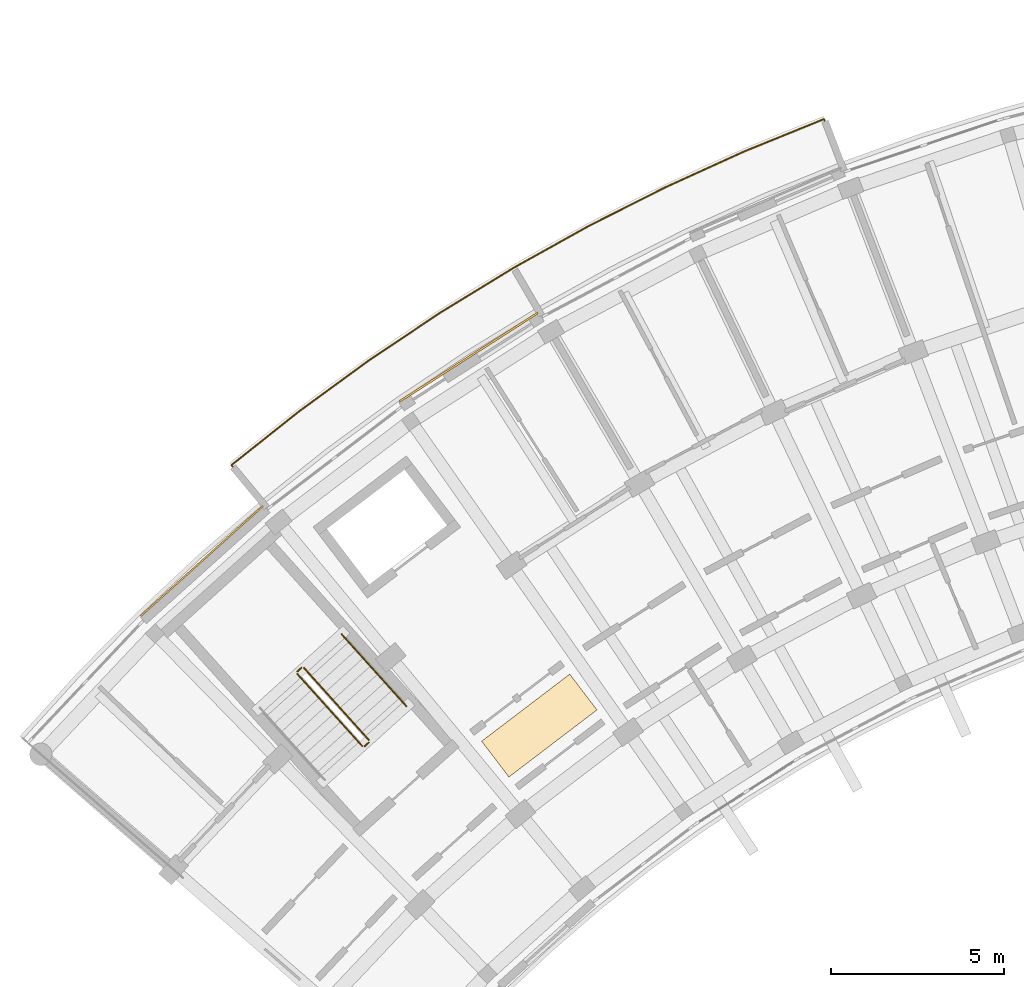
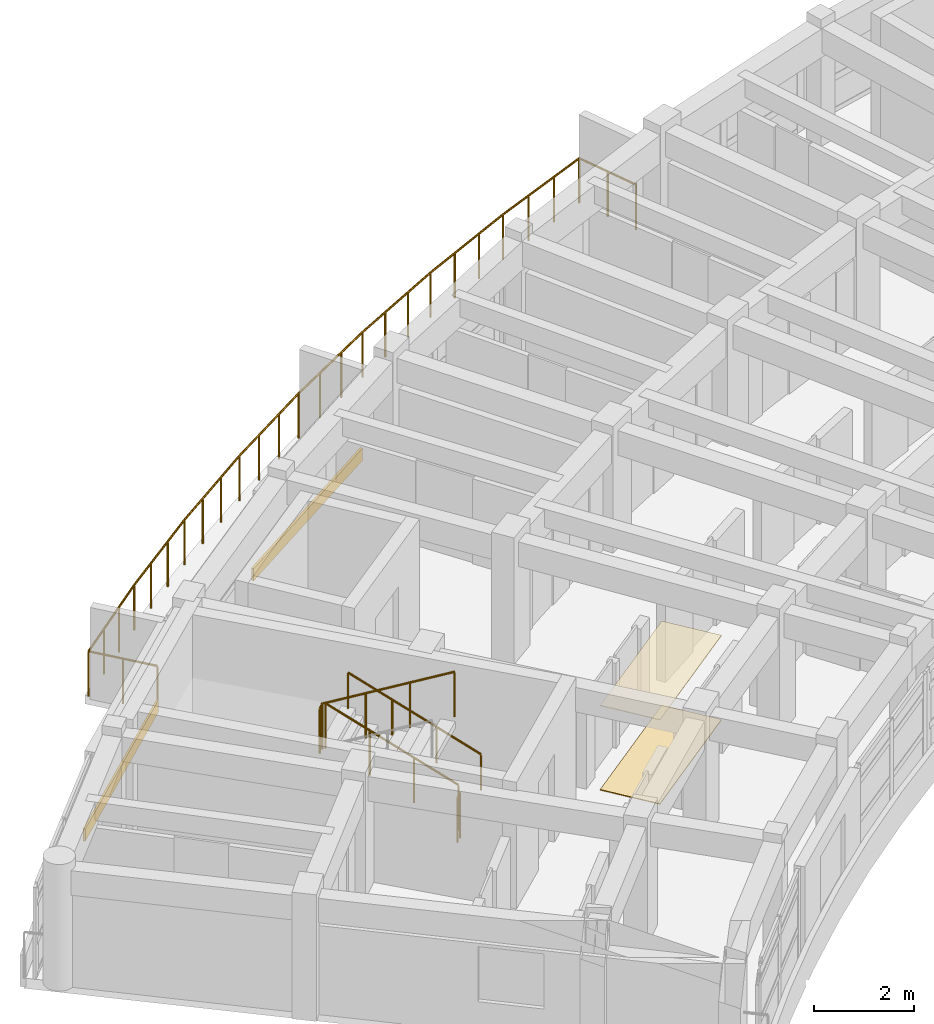
# One storey, part 41 of 50: 6 railings, 4 coverings.
"""IFC4 building model written with IfcOpenShell, lengths in metres."""

from ifc_helpers import new_model, si_unit, direction, frame, origin, origin_2d, place, context, subcontext, project, spatial, rectangle, circle, extrude, material, layer, layer_set, type_object, element, save


model = new_model("IFC4")

# Units and contexts
model_context = context("Model", 3, precision=1e-05, world=origin(), true_north=direction((0.0, 1.0)))
body_context = subcontext(model_context, "Body", "Model", "MODEL_VIEW")
ifc_project = project(units=[si_unit("LENGTHUNIT", "METRE"), si_unit("AREAUNIT", "SQUARE_METRE"), si_unit("VOLUMEUNIT", "CUBIC_METRE"), si_unit("PLANEANGLEUNIT", "RADIAN"), si_unit("MASSUNIT", "GRAM", prefix="KILO")], contexts=[model_context])

# Site, building, storey
site_placement = place(None, origin())
site = spatial("IfcSite", under=ifc_project, at=site_placement, CompositionType="ELEMENT")
building_placement = place(site_placement, origin())
building = spatial("IfcBuilding", under=site, at=building_placement, Name="Zimvara Arc Housing Community", CompositionType="ELEMENT")
storey_placement = place(building_placement, frame((0.0, 0.0, 26.699951171875)))
storey = spatial("IfcBuildingStorey", under=building, at=storey_placement, Name="L08", CompositionType="ELEMENT", Elevation=26.699951171875)

# Coverings
ifc_material_1 = material(Name="Pale-Gold Anodised Aluminium Cladding", Category="aluminium")
ifc_layer_1 = layer(ifc_material_1, 0.044921875)
ifc_layer_set_1 = layer_set([ifc_layer_1], Name="Pale-Gold Anodised Aluminium Cladding")
covering_type_1 = type_object("IfcCoveringType", Name="CLD-GOLD-02", PredefinedType="CLADDING", material=ifc_layer_set_1)
covering_1_placement = place(storey_placement, frame((5.216552734375, 88.715087890625, 0.01025390625), z_axis=(0.0, 0.0, 1.0), x_axis=(0.74337718344, 0.668872456557, 0.0)))
element("IfcCovering", 1, at=covering_1_placement, inside=storey, type_object=covering_type_1, Name="cld:blkA:L08:out:b1", PredefinedType="CLADDING", context=body_context, shape_type="SweptSolid", body=[
    extrude(rectangle(XDim=4.748779296875, YDim=0.044921875, at=origin_2d()), origin(), (0.0, 0.0, 1.0), 0.300048828125),
])
ifc_material_2 = material(Name="Pale-Gold Anodised Aluminium Cladding", Category="aluminium")
ifc_layer_2 = layer(ifc_material_2, 0.054931640625)
ifc_layer_set_2 = layer_set([ifc_layer_2], Name="Pale-Gold Anodised Aluminium Cladding")
covering_type_2 = type_object("IfcCoveringType", Name="CLD-GOLD-04", PredefinedType="CLADDING", material=ifc_layer_set_2)
covering_2_placement = place(storey_placement, frame((12.92919921875, 94.609130859375, 0.01025390625), z_axis=(0.0, 0.0, 1.0), x_axis=(0.842265220048, 0.53906335351, 0.0)))
element("IfcCovering", 2, at=covering_2_placement, inside=storey, type_object=covering_type_2, Name="cld:blkA:L08:out:b3", PredefinedType="CLADDING", context=body_context, shape_type="SweptSolid", body=[
    extrude(rectangle(XDim=4.748779296875, YDim=0.054931640625, at=origin_2d()), origin(), (0.0, 0.0, 1.0), 0.300048828125),
])
ifc_material_3 = material(Name="Perforated Acoustic Ceiling Board")
ifc_layer_3 = layer(ifc_material_3, 0.01806640625)
ifc_layer_set_3 = layer_set([ifc_layer_3], Name="Perforated Acoustic Ceiling Board")
covering_type_3 = type_object("IfcCoveringType", Name="COV-CEIL-01", PredefinedType="CEILING", material=ifc_layer_set_3)
covering_3_placement = place(storey_placement, frame((14.974853515625, 83.959228515625, 2.06201171875), z_axis=(0.0, 0.0, 1.0), x_axis=(-0.605988400266, 0.795473480855, 0.0)))
element("IfcCovering", 3, at=covering_3_placement, inside=storey, type_object=covering_type_3, Name="ceil:blkA:L08", PredefinedType="CEILING", context=body_context, shape_type="SweptSolid", body=[
    extrude(rectangle(XDim=1.300048828125, YDim=3.199951171875, at=origin_2d()), origin(), (0.0, 0.0, 1.0), 0.01806640625),
])
ifc_material_4 = material(Name="Polished Coastal Sand Terrazzo")
ifc_layer_4 = layer(ifc_material_4, 0.02001953125)
ifc_layer_set_4 = layer_set([ifc_layer_4], Name="Polished Coastal Sand Terrazzo")
covering_type_4 = type_object("IfcCoveringType", Name="COV-FLOR-01", PredefinedType="FLOORING", material=ifc_layer_set_4)
covering_4_placement = place(storey_placement, frame((14.974853515625, 83.959228515625, 0.0), z_axis=(0.0, 0.0, 1.0), x_axis=(-0.605988400266, 0.795473480855, 0.0)))
element("IfcCovering", 4, at=covering_4_placement, inside=storey, type_object=covering_type_4, Name="flor:blkA:L08", PredefinedType="FLOORING", context=body_context, shape_type="SweptSolid", body=[
    extrude(rectangle(XDim=1.300048828125, YDim=3.199951171875, at=origin_2d()), origin(), (0.0, 0.0, 1.0), 0.02001953125),
])

# Railings
ifc_material_5 = material(Name="Anodised Aluminium AW-6063", Category="aluminium")
railing_type_1 = type_object("IfcRailingType", Name="RLG-BAL-1120", PredefinedType="BALUSTRADE", material=ifc_material_5)
railing_1_placement = place(storey_placement, frame((7.00927734375, 90.357666015625, 0.0)))
element("IfcRailing", 5, at=railing_1_placement, inside=storey, type_object=railing_type_1, Name="rlg:blkA:L08:bal_out_guard", PredefinedType="BALUSTRADE", context=body_context, shape_type="SweptSolid", body=[
    extrude(circle(Radius=0.02392578125, at=origin_2d()), frame((0.0, 0.0, 1.09619140625), z_axis=(-0.637992539284, 0.770042544161, 0.0), x_axis=(-0.770042544161, -0.637992539284, 0.0)), (0.0, 0.0, 1.0), 1.4697265625),
    extrude(circle(Radius=0.02392578125, at=origin_2d()), frame((-0.937744140625, 1.1318359375, 1.09619140625), z_axis=(0.782948045611, 0.622087098302, 0.0), x_axis=(-0.622087098302, 0.782948045611, 0.0)), (0.0, 0.0, 1.0), 2.4921875),
    extrude(circle(Radius=0.02392578125, at=origin_2d()), frame((1.013427734375, 2.68212890625, 1.09619140625), z_axis=(0.80765852685, 0.589650493095, 0.0), x_axis=(-0.589650493095, 0.80765852685, 0.0)), (0.0, 0.0, 1.0), 2.49169921875),
    extrude(circle(Radius=0.02392578125, at=origin_2d()), frame((3.02587890625, 4.1513671875, 1.09619140625), z_axis=(0.83106930865, 0.556168863044, 0.0), x_axis=(-0.556168863044, 0.83106930865, 0.0)), (0.0, 0.0, 1.0), 2.491943359375),
    extrude(circle(Radius=0.02392578125, at=origin_2d()), frame((5.096923828125, 5.537353515625, 1.09619140625), z_axis=(0.853131649433, 0.521695685947, 0.0), x_axis=(-0.521695685947, 0.853131649433, 0.0)), (0.0, 0.0, 1.0), 2.491943359375),
    extrude(circle(Radius=0.02392578125, at=origin_2d()), frame((7.222900390625, 6.83740234375, 1.09619140625), z_axis=(0.873653060707, 0.486549411178, 0.0), x_axis=(-0.486549411178, 0.873653060707, 0.0)), (0.0, 0.0, 1.0), 2.491943359375),
    extrude(circle(Radius=0.02392578125, at=origin_2d()), frame((9.39990234375, 8.0498046875, 1.09619140625), z_axis=(0.892834384016, 0.450385127107, 0.0), x_axis=(-0.450385127107, 0.892834384016, 0.0)), (0.0, 0.0, 1.0), 2.491943359375),
    extrude(circle(Radius=0.02392578125, at=origin_2d()), frame((11.624755859375, 9.172119140625, 1.09619140625), z_axis=(0.910443630497, 0.413633165604, 0.0), x_axis=(-0.413633165604, 0.910443630497, 0.0)), (0.0, 0.0, 1.0), 2.491943359375),
    extrude(circle(Radius=0.02392578125, at=origin_2d()), frame((13.8935546875, 10.202880859375, 1.09619140625), z_axis=(0.926613832847, 0.37601436778, 0.0), x_axis=(-0.37601436778, 0.926613832847, 0.0)), (0.0, 0.0, 1.0), 2.491943359375),
    extrude(circle(Radius=0.02392578125, at=origin_2d()), frame((16.20263671875, 11.139892578125, 1.09619140625), z_axis=(0.357086323574, -0.934071387805, 0.0), x_axis=(0.934071387805, 0.357086323574, 0.0)), (0.0, 0.0, 1.0), 1.469970703125),
    extrude(circle(Radius=0.02099609375, at=origin_2d()), origin(), (0.0, 0.0, 1.0), 1.072021484375),
    extrude(circle(Radius=0.02099609375, at=origin_2d()), frame((-0.46875, 0.56591796875, 0.0)), (0.0, 0.0, 1.0), 1.072021484375),
    extrude(circle(Radius=0.02099609375, at=origin_2d()), frame((-0.937744140625, 1.1318359375, 0.0)), (0.0, 0.0, 1.0), 1.072021484375),
    extrude(circle(Radius=0.02099609375, at=origin_2d()), frame((-0.287353515625, 1.648681640625, 0.0)), (0.0, 0.0, 1.0), 1.072021484375),
    extrude(circle(Radius=0.02099609375, at=origin_2d()), frame((0.363037109375, 2.165283203125, 0.0)), (0.0, 0.0, 1.0), 1.072021484375),
    extrude(circle(Radius=0.02099609375, at=origin_2d()), frame((1.013427734375, 2.68212890625, 0.0)), (0.0, 0.0, 1.0), 1.072021484375),
    extrude(circle(Radius=0.02099609375, at=origin_2d()), frame((1.684326171875, 3.171875, 0.0)), (0.0, 0.0, 1.0), 1.072021484375),
    extrude(circle(Radius=0.02099609375, at=origin_2d()), frame((2.35498046875, 3.66162109375, 0.0)), (0.0, 0.0, 1.0), 1.072021484375),
    extrude(circle(Radius=0.02099609375, at=origin_2d()), frame((3.02587890625, 4.1513671875, 0.0)), (0.0, 0.0, 1.0), 1.072021484375),
    extrude(circle(Radius=0.02099609375, at=origin_2d()), frame((3.71630859375, 4.61328125, 0.0)), (0.0, 0.0, 1.0), 1.072021484375),
    extrude(circle(Radius=0.02099609375, at=origin_2d()), frame((4.406494140625, 5.075439453125, 0.0)), (0.0, 0.0, 1.0), 1.072021484375),
    extrude(circle(Radius=0.02099609375, at=origin_2d()), frame((5.096923828125, 5.537353515625, 0.0)), (0.0, 0.0, 1.0), 1.072021484375),
    extrude(circle(Radius=0.02099609375, at=origin_2d()), frame((5.8056640625, 5.970703125, 0.0)), (0.0, 0.0, 1.0), 1.072021484375),
    extrude(circle(Radius=0.02099609375, at=origin_2d()), frame((6.51416015625, 6.404052734375, 0.0)), (0.0, 0.0, 1.0), 1.072021484375),
    extrude(circle(Radius=0.02099609375, at=origin_2d()), frame((7.222900390625, 6.83740234375, 0.0)), (0.0, 0.0, 1.0), 1.072021484375),
    extrude(circle(Radius=0.02099609375, at=origin_2d()), frame((7.948486328125, 7.241455078125, 0.0)), (0.0, 0.0, 1.0), 1.072021484375),
    extrude(circle(Radius=0.02099609375, at=origin_2d()), frame((8.67431640625, 7.645751953125, 0.0)), (0.0, 0.0, 1.0), 1.072021484375),
    extrude(circle(Radius=0.02099609375, at=origin_2d()), frame((9.39990234375, 8.0498046875, 0.0)), (0.0, 0.0, 1.0), 1.072021484375),
    extrude(circle(Radius=0.02099609375, at=origin_2d()), frame((10.1416015625, 8.423828125, 0.0)), (0.0, 0.0, 1.0), 1.072021484375),
    extrude(circle(Radius=0.02099609375, at=origin_2d()), frame((10.883056640625, 8.798095703125, 0.0)), (0.0, 0.0, 1.0), 1.072021484375),
    extrude(circle(Radius=0.02099609375, at=origin_2d()), frame((11.624755859375, 9.172119140625, 0.0)), (0.0, 0.0, 1.0), 1.072021484375),
    extrude(circle(Radius=0.02099609375, at=origin_2d()), frame((12.381103515625, 9.515625, 0.0)), (0.0, 0.0, 1.0), 1.072021484375),
    extrude(circle(Radius=0.02099609375, at=origin_2d()), frame((13.13720703125, 9.859375, 0.0)), (0.0, 0.0, 1.0), 1.072021484375),
    extrude(circle(Radius=0.02099609375, at=origin_2d()), frame((13.8935546875, 10.202880859375, 0.0)), (0.0, 0.0, 1.0), 1.072021484375),
    extrude(circle(Radius=0.02099609375, at=origin_2d()), frame((14.663330078125, 10.51513671875, 0.0)), (0.0, 0.0, 1.0), 1.072021484375),
    extrude(circle(Radius=0.02099609375, at=origin_2d()), frame((15.432861328125, 10.82763671875, 0.0)), (0.0, 0.0, 1.0), 1.072021484375),
    extrude(circle(Radius=0.02099609375, at=origin_2d()), frame((16.20263671875, 11.139892578125, 0.0)), (0.0, 0.0, 1.0), 1.072021484375),
    extrude(circle(Radius=0.02099609375, at=origin_2d()), frame((16.465087890625, 10.453369140625, 0.0)), (0.0, 0.0, 1.0), 1.072021484375),
    extrude(circle(Radius=0.02099609375, at=origin_2d()), frame((16.7275390625, 9.766845703125, 0.0)), (0.0, 0.0, 1.0), 1.072021484375),
])
railing_2_placement = place(storey_placement, frame((10.0478515625, 83.5400390625, 0.155029296875)))
element("IfcRailing", 6, at=railing_2_placement, inside=storey, type_object=railing_type_1, Name="L08 ST-A1 stair guard 1", PredefinedType="BALUSTRADE", context=body_context, shape_type="SweptSolid", body=[
    extrude(circle(Radius=0.02392578125, at=origin_2d()), frame((0.0, 0.0, 1.09619140625), z_axis=(-0.599018063854, 0.665748660595, 0.444922555162), x_axis=(-0.743380604779, -0.668868654101, 0.0)), (0.0, 0.0, 1.0), 3.135498046875),
    extrude(circle(Radius=0.02099609375, at=origin_2d()), origin(), (0.0, 0.0, 1.0), 1.072021484375),
    extrude(circle(Radius=0.02099609375, at=origin_2d()), frame((-0.6259765625, 0.69580078125, 0.465087890625)), (0.0, 0.0, 1.0), 1.072021484375),
    extrude(circle(Radius=0.02099609375, at=origin_2d()), frame((-1.252197265625, 1.3916015625, 0.929931640625)), (0.0, 0.0, 1.0), 1.072021484375),
    extrude(circle(Radius=0.02099609375, at=origin_2d()), frame((-1.878173828125, 2.08740234375, 1.39501953125)), (0.0, 0.0, 1.0), 1.072021484375),
])
railing_3_placement = place(storey_placement, frame((8.098876953125, 85.631103515625, 1.550048828125)))
element("IfcRailing", 7, at=railing_3_placement, inside=storey, type_object=railing_type_1, Name="L08 ST-A1 stair guard 2", PredefinedType="BALUSTRADE", context=body_context, shape_type="SweptSolid", body=[
    extrude(circle(Radius=0.02392578125, at=origin_2d()), frame((0.0, 0.0, 1.09619140625), z_axis=(-0.743521848755, -0.668711642207, 0.0), x_axis=(0.668711642207, -0.743521848755, 0.0)), (0.0, 0.0, 1.0), 0.159912109375),
    extrude(circle(Radius=0.02099609375, at=origin_2d()), origin(), (0.0, 0.0, 1.0), 1.072021484375),
    extrude(circle(Radius=0.02099609375, at=origin_2d()), frame((-0.118896484375, -0.10693359375, 0.0)), (0.0, 0.0, 1.0), 1.072021484375),
])
railing_4_placement = place(storey_placement, frame((7.976318359375, 85.453369140625, 1.705078125)))
element("IfcRailing", 8, at=railing_4_placement, inside=storey, type_object=railing_type_1, Name="L08 ST-A1 stair guard 3", PredefinedType="BALUSTRADE", context=body_context, shape_type="SweptSolid", body=[
    extrude(circle(Radius=0.02392578125, at=origin_2d()), frame((0.0, 0.0, 1.09619140625), z_axis=(0.599018063854, -0.665748660595, 0.444922555162), x_axis=(0.743380604779, 0.668868654101, 0.0)), (0.0, 0.0, 1.0), 3.135498046875),
    extrude(circle(Radius=0.02099609375, at=origin_2d()), origin(), (0.0, 0.0, 1.0), 1.072021484375),
    extrude(circle(Radius=0.02099609375, at=origin_2d()), frame((0.6259765625, -0.69580078125, 0.465087890625)), (0.0, 0.0, 1.0), 1.072021484375),
    extrude(circle(Radius=0.02099609375, at=origin_2d()), frame((1.252197265625, -1.3916015625, 0.929931640625)), (0.0, 0.0, 1.0), 1.072021484375),
    extrude(circle(Radius=0.02099609375, at=origin_2d()), frame((1.878173828125, -2.08740234375, 1.39501953125)), (0.0, 0.0, 1.0), 1.072021484375),
])
railing_5_placement = place(storey_placement, frame((10.0439453125, 83.469482421875, 0.0)))
element("IfcRailing", 9, at=railing_5_placement, inside=storey, type_object=railing_type_1, Name="L08 ST-A1 stair guard 4", PredefinedType="BALUSTRADE", context=body_context, shape_type="SweptSolid", body=[
    extrude(circle(Radius=0.02392578125, at=origin_2d()), frame((0.0, 0.0, 1.09619140625), z_axis=(-0.742763048172, -0.669554369913, 0.0), x_axis=(0.669554369913, -0.742763048172, 0.0)), (0.0, 0.0, 1.0), 0.16015625),
    extrude(circle(Radius=0.02099609375, at=origin_2d()), origin(), (0.0, 0.0, 1.0), 1.072021484375),
    extrude(circle(Radius=0.02099609375, at=origin_2d()), frame((-0.118896484375, -0.107177734375, 0.0)), (0.0, 0.0, 1.0), 1.072021484375),
])
ifc_material_6 = material(Name="Anodised Aluminium AW-6063", Category="aluminium")
railing_type_2 = type_object("IfcRailingType", Name="RLG-HND-900", PredefinedType="HANDRAIL", material=ifc_material_6)
railing_6_placement = place(storey_placement, frame((11.133056640625, 84.5166015625, 0.155029296875)))
element("IfcRailing", 10, at=railing_6_placement, inside=storey, type_object=railing_type_2, Name="L08 ST-A1 stair handrail 1", PredefinedType="HANDRAIL", context=body_context, shape_type="SweptSolid", body=[
    extrude(circle(Radius=0.02392578125, at=origin_2d()), frame((0.0, 0.0, 0.8759765625), z_axis=(-0.599018063854, 0.665748660595, 0.444922555162), x_axis=(-0.743380604779, -0.668868654101, 0.0)), (0.0, 0.0, 1.0), 3.135498046875),
    extrude(circle(Radius=0.02099609375, at=origin_2d()), origin(), (0.0, 0.0, 1.0), 0.851806640625),
    extrude(circle(Radius=0.02099609375, at=origin_2d()), frame((-0.6259765625, 0.69580078125, 0.465087890625)), (0.0, 0.0, 1.0), 0.851806640625),
    extrude(circle(Radius=0.02099609375, at=origin_2d()), frame((-1.252197265625, 1.3916015625, 0.929931640625)), (0.0, 0.0, 1.0), 0.851806640625),
    extrude(circle(Radius=0.02099609375, at=origin_2d()), frame((-1.878173828125, 2.08740234375, 1.39501953125)), (0.0, 0.0, 1.0), 0.851806640625),
])

save(model, "model.ifc")
